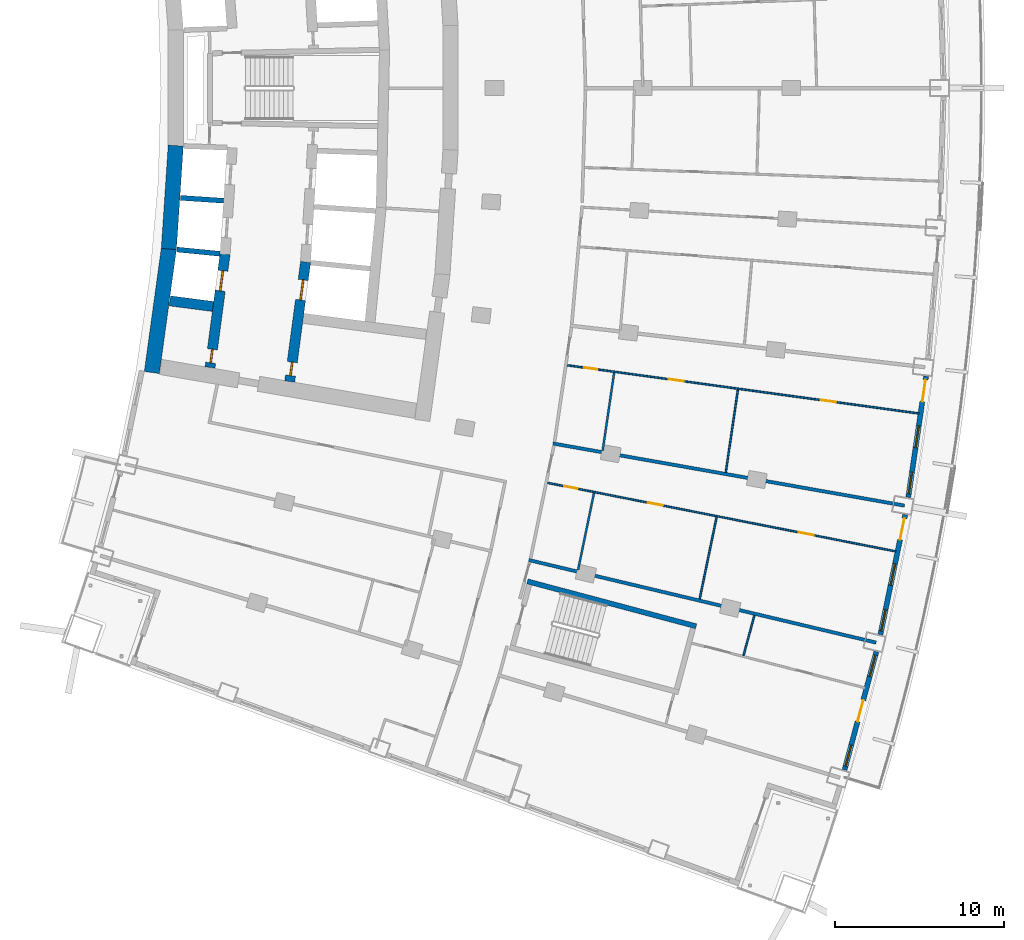
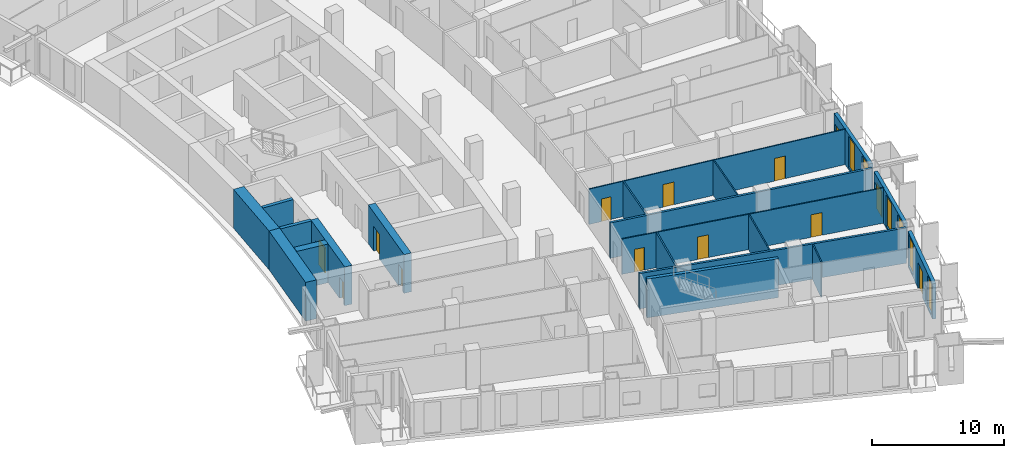
# One storey, part 13 of 23: 20 walls, 13 doors, 6 windows, 19 openings.
"""IFC4 building model written with IfcOpenShell, lengths in metres."""

import ifcopenshell
import ifcopenshell.guid

model = None  # the IFC model being written
_history = None  # IfcOwnerHistory: only IFC2X3 demands one
_inside = {}  # id of a spatial element -> (the spatial element, [elements in it])
_under = {}  # id of a project, library or spatial element -> (it, [spatial elements below it])
_declared = {}  # id of a project -> (the project, [libraries it declares])
_typed = {}  # id of a type object -> (the type object, [elements of that type])
_made_of = {}  # id of a material, layer set ... -> (it, [elements and type objects made of it])


def new_model(schema):
    """Start an empty IFC model of exactly this schema.

    Asked for "IFC4X3", IfcOpenShell would pick the latest addendum, in which some entities
    have other attributes; the version numbers below select the first issue.
    IFC2X3 requires an IfcOwnerHistory on every rooted entity: one is made here for all.
    """
    global model, _history
    if schema == "IFC4X3":
        model = ifcopenshell.file(schema_version=(4, 3, 0, 0))
    else:
        model = ifcopenshell.file(schema=schema)
    _inside.clear()
    _under.clear()
    _declared.clear()
    _typed.clear()
    _made_of.clear()
    _history = None
    if model.schema == "IFC2X3":
        org = make("IfcOrganization", Name="unknown")
        user = make(
            "IfcPersonAndOrganization",
            ThePerson=make("IfcPerson", FamilyName="unknown"),
            TheOrganization=org,
        )
        app = make(
            "IfcApplication",
            ApplicationDeveloper=org,
            Version="unknown",
            ApplicationFullName="unknown",
            ApplicationIdentifier="unknown",
        )
        _history = make(
            "IfcOwnerHistory",
            OwningUser=user,
            OwningApplication=app,
            ChangeAction="ADDED",
            CreationDate=0,
        )
    return model


def make(cls, **values):
    """One entity of the class cls with the attributes given. An attribute that is None is left unset."""
    return model.create_entity(
        cls, **{name: value for name, value in values.items() if value is not None}
    )


def rooted(cls, **values):
    """An entity with a GlobalId (a new one), such as an element, a storey or a relation."""
    return make(cls, GlobalId=ifcopenshell.guid.new(), OwnerHistory=_history, **values)


def si_unit(unit_type, name, prefix=None):
    """IfcSIUnit, for example si_unit("LENGTHUNIT", "METRE", prefix="MILLI")."""
    return make("IfcSIUnit", UnitType=unit_type, Prefix=prefix, Name=name)


def assignment(units):
    """IfcUnitAssignment: the units of a project."""
    return None if units is None else make("IfcUnitAssignment", Units=units)


def point(xyz):
    """IfcCartesianPoint."""
    return None if xyz is None else make("IfcCartesianPoint", Coordinates=xyz)


def direction(xyz):
    """IfcDirection."""
    return None if xyz is None else make("IfcDirection", DirectionRatios=xyz)


def frame(location, z_axis=None, x_axis=None):
    """IfcAxis2Placement3D, a coordinate frame: its origin and axes. An axis left out is left unset."""
    return make(
        "IfcAxis2Placement3D",
        Location=point(location),
        Axis=direction(z_axis),
        RefDirection=direction(x_axis),
    )


def frame_2d(location, x_axis=None):
    """IfcAxis2Placement2D, a coordinate frame in the plane: its origin and x axis."""
    return make(
        "IfcAxis2Placement2D", Location=point(location), RefDirection=direction(x_axis)
    )


def origin():
    """The frame at (0, 0, 0) with its axes left unset."""
    return frame((0.0, 0.0, 0.0))


def place(relative_to, where):
    """IfcLocalPlacement: puts the frame where relative to a parent placement (None: the world)."""
    return make(
        "IfcLocalPlacement", PlacementRelTo=relative_to, RelativePlacement=where
    )


def context(
    kind, dimensions, precision=None, world=None, true_north=None, identifier=None
):
    """IfcGeometricRepresentationContext, for example the 3D "Model" context."""
    return make(
        "IfcGeometricRepresentationContext",
        ContextIdentifier=identifier,
        ContextType=kind,
        CoordinateSpaceDimension=dimensions,
        Precision=precision,
        WorldCoordinateSystem=world,
        TrueNorth=true_north,
    )


def subcontext(parent, identifier, kind, view, scale=None):
    """IfcGeometricRepresentationSubContext, for example "Body" below "Model"."""
    return make(
        "IfcGeometricRepresentationSubContext",
        ContextIdentifier=identifier,
        ContextType=kind,
        ParentContext=parent,
        TargetScale=scale,
        TargetView=view,
    )


def project(units=None, contexts=None):
    """IfcProject with its units and contexts."""
    return rooted(
        "IfcProject",
        Name="project",
        RepresentationContexts=contexts,
        UnitsInContext=assignment(units),
    )


def spatial(cls, under=None, at=None, **own):
    """A site, building, storey or space (cls), placed at a placement, below another one or the project."""
    s = rooted(cls, ObjectPlacement=at, **own)
    if under is not None:
        _under.setdefault(under.id(), (under, []))[1].append(s)
    return s


def profile(cls, at=None, kind="AREA", **sizes):
    """A parametric profile (cls). Its sizes go by their IFC names, for example OverallWidth=200.0."""
    return make(cls, ProfileType=kind, Position=at, **sizes)


def rectangle(**sizes):
    """IfcRectangleProfileDef."""
    return profile("IfcRectangleProfileDef", **sizes)


def extrude(swept, where, along, depth):
    """IfcExtrudedAreaSolid: the profile swept, set in the frame where, extruded along a direction by depth."""
    return make(
        "IfcExtrudedAreaSolid",
        SweptArea=swept,
        Position=where,
        ExtrudedDirection=direction(along),
        Depth=depth,
    )


def shape(context_of_items, identifier, shape_type, items):
    """IfcShapeRepresentation: the items that make up one representation, for example the "Body"."""
    return make(
        "IfcShapeRepresentation",
        ContextOfItems=context_of_items,
        RepresentationIdentifier=identifier,
        RepresentationType=shape_type,
        Items=items,
    )


def material(Name=None, Category=None):
    """IfcMaterial."""
    return make("IfcMaterial", Name=Name, Category=Category)


def layer(
    of_material, thickness, ventilated=None, Name=None, Category=None, Priority=None
):
    """IfcMaterialLayer: one layer of a wall or slab, of a material (None: an air gap)."""
    return make(
        "IfcMaterialLayer",
        Material=of_material,
        LayerThickness=thickness,
        IsVentilated=ventilated,
        Name=Name,
        Category=Category,
        Priority=Priority,
    )


def layer_set(layers, Name=None):
    """IfcMaterialLayerSet."""
    return make("IfcMaterialLayerSet", MaterialLayers=layers, LayerSetName=Name)


def made_of(thing, what):
    """Note that an element or type object is made of a material, layer set ...; save() writes the relation."""
    if what is not None:
        _made_of.setdefault(what.id(), (what, []))[1].append(thing)
    return thing


def type_object(cls, material=None, **own):
    """A type object (cls), such as IfcWallType, which elements share."""
    return made_of(rooted(cls, **own), material)


def element(
    cls,
    number,
    at=None,
    inside=None,
    cuts=None,
    type_object=None,
    material=None,
    context=None,
    identifier="Body",
    shape_type=None,
    held_by="IfcProductDefinitionShape",
    body=None,
    shapes=None,
    **own,
):
    """One element of the class cls, such as IfcWall. Its Tag is "e" and its number.

    at: its placement. inside: the storey or other place that contains it. cuts: it is an
    opening in that element (IfcRelVoidsElement). A single representation is given by context,
    identifier, shape_type and body (its items); several are given by shapes. held_by: the class
    of the entity that holds the representations. save() writes the other relations.
    """
    e = rooted(cls, Tag="e%d" % number, ObjectPlacement=at, **own)
    if body is not None:
        shapes = [shape(context, identifier, shape_type, body)]
    if shapes is not None:
        e.Representation = make(held_by, Representations=shapes)
    if inside is not None:
        _inside.setdefault(inside.id(), (inside, []))[1].append(e)
    if cuts is not None:
        rooted(
            "IfcRelVoidsElement", RelatingBuildingElement=cuts, RelatedOpeningElement=e
        )
    if type_object is not None:
        _typed.setdefault(type_object.id(), (type_object, []))[1].append(e)
    return made_of(e, material)


def fill(opening, filler):
    """IfcRelFillsElement: the door or window that sits in an opening."""
    return rooted(
        "IfcRelFillsElement",
        RelatingOpeningElement=opening,
        RelatedBuildingElement=filler,
    )


def aggregate(whole, parts):
    """IfcRelAggregates: a whole, such as a stair, and the parts it consists of."""
    return rooted("IfcRelAggregates", RelatingObject=whole, RelatedObjects=parts)


def save(model, path):
    """Write the relations noted so far, then the file.

    IfcRelAggregates (storeys below a building ...), IfcRelContainedInSpatialStructure (elements
    in a storey), IfcRelDefinesByType, IfcRelAssociatesMaterial and IfcRelDeclares: one each for
    every whole, place, type object, material and project.
    """
    for whole, parts in _under.values():
        aggregate(whole, parts)
    for where, things in _inside.values():
        rooted(
            "IfcRelContainedInSpatialStructure",
            RelatedElements=things,
            RelatingStructure=where,
        )
    for kind, things in _typed.values():
        rooted("IfcRelDefinesByType", RelatedObjects=things, RelatingType=kind)
    for what, things in _made_of.values():
        rooted("IfcRelAssociatesMaterial", RelatedObjects=things, RelatingMaterial=what)
    for by, libraries in _declared.values():
        rooted("IfcRelDeclares", RelatingContext=by, RelatedDefinitions=libraries)
    model.write(path)


model = new_model("IFC4")

# Units and contexts
model_context = context("Model", 3, precision=1e-05, world=origin(), true_north=direction((0.0, 1.0)))
body_context = subcontext(model_context, "Body", "Model", "MODEL_VIEW")
ifc_project = project(units=[si_unit("LENGTHUNIT", "METRE"), si_unit("AREAUNIT", "SQUARE_METRE"), si_unit("VOLUMEUNIT", "CUBIC_METRE"), si_unit("PLANEANGLEUNIT", "RADIAN"), si_unit("MASSUNIT", "GRAM", prefix="KILO")], contexts=[model_context])

# Site, building, storey
site_placement = place(None, origin())
site = spatial("IfcSite", under=ifc_project, at=site_placement, CompositionType="ELEMENT")
building_placement = place(site_placement, origin())
building = spatial("IfcBuilding", under=site, at=building_placement, Name="Alderwake Tower", CompositionType="ELEMENT")
storey_placement = place(building_placement, frame((0.0, 0.0, 71.60009765625)))
storey = spatial("IfcBuildingStorey", under=building, at=storey_placement, Name="L17", CompositionType="ELEMENT", Elevation=71.60009765625)

# Walls
ifc_material_1 = material(Name="Concrete C70/85", Category="concrete")
ifc_layer_1 = layer(ifc_material_1, 0.89990234375)
ifc_layer_set_1 = layer_set([ifc_layer_1], Name="Core wall outer 900 C70-85")
wall_type_1 = type_object("IfcWallType", Name="Core wall outer 900 C70-85", PredefinedType="SHEAR", material=ifc_layer_set_1)
wall_1_placement = place(storey_placement, frame((15.46923828125, 44.1201171875, 0.0), z_axis=(0.0, 0.0, 1.0), x_axis=(0.136337234661, 0.990662484626, 0.0)))
element("IfcWall", 1, at=wall_1_placement, inside=storey, type_object=wall_type_1, Name="Core wall CW.042", PredefinedType="SHEAR", context=body_context, shape_type="SweptSolid", body=[
    extrude(rectangle(XDim=7.431396484375, YDim=0.89990234375, at=frame_2d((3.7158203125, 0.0))), origin(), (0.0, 0.0, 1.0), 3.599853515625),
])
wall_2_placement = place(storey_placement, frame((16.47900390625, 51.449951171875, 0.0), z_axis=(0.0, 0.0, 1.0), x_axis=(0.06689316208, 0.997760143956, 0.0)))
element("IfcWall", 2, at=wall_2_placement, inside=storey, type_object=wall_type_1, Name="Core wall CW.041", PredefinedType="SHEAR", context=body_context, shape_type="SweptSolid", body=[
    extrude(rectangle(XDim=6.149658203125, YDim=0.89990234375, at=frame_2d((3.07470703125, 0.0))), origin(), (0.0, 0.0, 1.0), 3.599853515625),
])
ifc_material_2 = material(Name="Concrete C70/85", Category="concrete")
ifc_layer_2 = layer(ifc_material_2, 0.300048828125)
ifc_layer_set_2 = layer_set([ifc_layer_2], Name="Core wall shaft 300 C70-85")
wall_type_2 = type_object("IfcWallType", Name="Core wall shaft 300 C70-85", PredefinedType="SHEAR", material=ifc_layer_set_2)
wall_3_placement = place(storey_placement, frame((16.9580078125, 51.4189453125, 0.0), z_axis=(0.0, 0.0, 1.0), x_axis=(0.995153154577, -0.098337169657, 0.0)))
element("IfcWall", 3, at=wall_3_placement, inside=storey, type_object=wall_type_2, Name="Core wall CW.065", PredefinedType="SHEAR", context=body_context, shape_type="SweptSolid", body=[
    extrude(rectangle(XDim=2.569580078125, YDim=0.300048828125, at=frame_2d((1.28466796875, 0.0))), origin(), (0.0, 0.0, 1.0), 3.599853515625),
])
wall_4_placement = place(storey_placement, frame((17.16357421875, 54.486083984375, 0.0), z_axis=(0.0, 0.0, 1.0), x_axis=(0.997758581961, -0.066916456292, 0.0)))
element("IfcWall", 4, at=wall_4_placement, inside=storey, type_object=wall_type_2, Name="Core wall CW.079", PredefinedType="SHEAR", context=body_context, shape_type="SweptSolid", body=[
    extrude(rectangle(XDim=2.568603515625, YDim=0.300048828125, at=frame_2d((1.2841796875, 0.0))), origin(), (0.0, 0.0, 1.0), 3.599853515625),
])

# Wall, openings, doors
ifc_material_3 = material(Name="Concrete C70/85", Category="concrete")
ifc_layer_3 = layer(ifc_material_3, 0.60009765625)
ifc_layer_set_3 = layer_set([ifc_layer_3], Name="Core wall spine 600 C70-85")
wall_type_3 = type_object("IfcWallType", Name="Core wall spine 600 C70-85", PredefinedType="SHEAR", material=ifc_layer_set_3)
wall_5_placement = place(storey_placement, frame((19.815185546875, 51.14697265625, 0.0), z_axis=(0.0, 0.0, 1.0), x_axis=(-0.131854836214, -0.991269036219, 0.0)))
wall_5 = element("IfcWall", 5, at=wall_5_placement, inside=storey, type_object=wall_type_3, Name="Core wall CW.033", PredefinedType="SHEAR", context=body_context, shape_type="SweptSolid", body=[
    extrude(rectangle(XDim=6.782470703125, YDim=0.60009765625, at=frame_2d((3.39111328125, 0.0))), origin(), (0.0, 0.0, 1.0), 3.599853515625),
])
opening_1_placement = place(wall_5_placement, frame((0.9921875, 0.0, 0.0)))
opening_1 = element("IfcOpeningElement", 6, at=opening_1_placement, cuts=wall_5, Name="Opening LD-LP1", PredefinedType="OPENING", context=body_context, shape_type="SweptSolid", body=[
    extrude(rectangle(XDim=1.199951171875, YDim=2.300048828125, at=frame_2d((0.60009765625, 1.14990234375))), frame((0.0, 0.31005859375, 0.0), z_axis=(0.0, -1.0, 0.0), x_axis=(1.0, 0.0, 0.0)), (0.0, 0.0, 1.0), 0.6201171875),
])
opening_2_placement = place(wall_5_placement, frame((5.699951171875, 0.0, 0.0)))
opening_2 = element("IfcOpeningElement", 7, at=opening_2_placement, cuts=wall_5, Name="Opening C007", PredefinedType="OPENING", context=body_context, shape_type="SweptSolid", body=[
    extrude(rectangle(XDim=0.800048828125, YDim=2.0, at=frame_2d((0.39990234375, 1.0))), frame((0.0, 0.31005859375, 0.0), z_axis=(0.0, -1.0, 0.0), x_axis=(1.0, 0.0, 0.0)), (0.0, 0.0, 1.0), 0.6201171875),
])
ifc_material_4 = material(Name="Stainless steel sliding leaf", Category="steel")
door_type_1 = type_object("IfcDoorType", Name="Lift landing door 1200", OperationType="SLIDING_TO_LEFT", PredefinedType="DOOR", material=ifc_material_4)
door_1_placement = place(opening_1_placement, origin())
door_1 = element("IfcDoor", 8, at=door_1_placement, inside=storey, type_object=door_type_1, Name="Lift landing door LP1", OperationType="SLIDING_TO_LEFT", OverallHeight=2.300048828125, OverallWidth=1.199951171875, PredefinedType="DOOR", context=body_context, shape_type="SweptSolid", body=[
    extrude(rectangle(XDim=1.199951171875, YDim=2.300048828125, at=frame_2d((0.60009765625, 1.14990234375))), frame((0.0, 0.050048828125, 0.0), z_axis=(0.0, -1.0, 0.0), x_axis=(1.0, 0.0, 0.0)), (0.0, 0.0, 1.0), 0.10009765625),
])
fill(opening_1, door_1)
ifc_material_5 = material(Name="Painted steel leaf, rated", Category="steel")
door_type_2 = type_object("IfcDoorType", Name="Riser access door 800", OperationType="SINGLE_SWING_LEFT", PredefinedType="DOOR", material=ifc_material_5)
door_2_placement = place(opening_2_placement, origin())
door_2 = element("IfcDoor", 9, at=door_2_placement, inside=storey, type_object=door_type_2, Name="Riser access door", OperationType="SINGLE_SWING_LEFT", OverallHeight=2.0, OverallWidth=0.800048828125, PredefinedType="DOOR", context=body_context, shape_type="SweptSolid", body=[
    extrude(rectangle(XDim=0.800048828125, YDim=2.0, at=frame_2d((0.39990234375, 1.0))), frame((0.0, 0.050048828125, 0.0), z_axis=(0.0, -1.0, 0.0), x_axis=(1.0, 0.0, 0.0)), (0.0, 0.0, 1.0), 0.10009765625),
])
fill(opening_2, door_2)

wall_6_placement = place(storey_placement, frame((23.647705078125, 43.588134765625, 0.0), z_axis=(0.0, 0.0, 1.0), x_axis=(0.132069785658, 0.991240420744, 0.0)))
wall_6 = element("IfcWall", 10, at=wall_6_placement, inside=storey, type_object=wall_type_3, Name="Core wall CW.047", PredefinedType="SHEAR", context=body_context, shape_type="SweptSolid", body=[
    extrude(rectangle(XDim=7.150390625, YDim=0.60009765625, at=frame_2d((3.5751953125, 0.0))), origin(), (0.0, 0.0, 1.0), 3.599853515625),
])
opening_3_placement = place(wall_6_placement, frame((4.88134765625, 0.0, 0.0)))
opening_3 = element("IfcOpeningElement", 11, at=opening_3_placement, cuts=wall_6, Name="Opening LD-LP4", PredefinedType="OPENING", context=body_context, shape_type="SweptSolid", body=[
    extrude(rectangle(XDim=1.199951171875, YDim=2.300048828125, at=frame_2d((0.60009765625, 1.14990234375))), frame((0.0, 0.31005859375, 0.0), z_axis=(0.0, -1.0, 0.0), x_axis=(1.0, 0.0, 0.0)), (0.0, 0.0, 1.0), 0.6201171875),
])
opening_4_placement = place(wall_6_placement, frame((0.35791015625, 0.0, 0.0)))
opening_4 = element("IfcOpeningElement", 12, at=opening_4_placement, cuts=wall_6, Name="Opening C014", PredefinedType="OPENING", context=body_context, shape_type="SweptSolid", body=[
    extrude(rectangle(XDim=0.800048828125, YDim=2.0, at=frame_2d((0.39990234375, 1.0))), frame((0.0, 0.31005859375, 0.0), z_axis=(0.0, -1.0, 0.0), x_axis=(1.0, 0.0, 0.0)), (0.0, 0.0, 1.0), 0.6201171875),
])
door_3_placement = place(opening_3_placement, origin())
door_3 = element("IfcDoor", 13, at=door_3_placement, inside=storey, type_object=door_type_1, Name="Lift landing door LP4", OperationType="SLIDING_TO_LEFT", OverallHeight=2.300048828125, OverallWidth=1.199951171875, PredefinedType="DOOR", context=body_context, shape_type="SweptSolid", body=[
    extrude(rectangle(XDim=1.199951171875, YDim=2.300048828125, at=frame_2d((0.60009765625, 1.14990234375))), frame((0.0, 0.050048828125, 0.0), z_axis=(0.0, -1.0, 0.0), x_axis=(1.0, 0.0, 0.0)), (0.0, 0.0, 1.0), 0.10009765625),
])
fill(opening_3, door_3)
door_4_placement = place(opening_4_placement, origin())
door_4 = element("IfcDoor", 14, at=door_4_placement, inside=storey, type_object=door_type_2, Name="Riser access door", OperationType="SINGLE_SWING_RIGHT", OverallHeight=2.0, OverallWidth=0.800048828125, PredefinedType="DOOR", context=body_context, shape_type="SweptSolid", body=[
    extrude(rectangle(XDim=0.800048828125, YDim=2.0, at=frame_2d((0.39990234375, 1.0))), frame((0.0, 0.050048828125, 0.0), z_axis=(0.0, -1.0, 0.0), x_axis=(1.0, 0.0, 0.0)), (0.0, 0.0, 1.0), 0.10009765625),
])
fill(opening_4, door_4)

# Walls
wall_7_placement = place(storey_placement, frame((16.5390625, 48.373291015625, 0.0), z_axis=(0.0, 0.0, 1.0), x_axis=(0.99156081818, -0.129642369037, 0.0)))
element("IfcWall", 15, at=wall_7_placement, inside=storey, type_object=wall_type_3, Name="Core wall CW.067", PredefinedType="SHEAR", context=body_context, shape_type="SweptSolid", body=[
    extrude(rectangle(XDim=2.581787109375, YDim=0.60009765625, at=frame_2d((1.291015625, 0.0))), origin(), (0.0, 0.0, 1.0), 3.599853515625),
])
ifc_material_6 = material(Name="Concrete C70/85", Category="concrete")
ifc_layer_4 = layer(ifc_material_6, 0.300048828125)
ifc_layer_set_4 = layer_set([ifc_layer_4], Name="Core wall stair enclosure 300 C70-85")
wall_type_4 = type_object("IfcWallType", Name="Core wall stair enclosure 300 C70-85", PredefinedType="SHEAR", material=ifc_layer_set_4)
wall_8_placement = place(storey_placement, frame((37.75390625, 31.731201171875, 0.0), z_axis=(0.0, 0.0, 1.0), x_axis=(0.966309214305, -0.257383958996, 0.0)))
element("IfcWall", 16, at=wall_8_placement, inside=storey, type_object=wall_type_4, Name="Core wall CW.086", PredefinedType="SHEAR", context=body_context, shape_type="SweptSolid", body=[
    extrude(rectangle(XDim=10.360107421875, YDim=0.300048828125, at=frame_2d((5.18017578125, 0.0))), origin(), (0.0, 0.0, 1.0), 3.599853515625),
])

# Wall, openings, door, windows
ifc_material_7 = material(Name="Precast concrete C50/60 spandrel panel", Category="concrete")
ifc_layer_5 = layer(ifc_material_7, 0.300048828125)
ifc_layer_set_5 = layer_set([ifc_layer_5], Name="External wall EW1 Precast concrete C50/60 spandrel")
wall_type_5 = type_object("IfcWallType", Name="External wall EW1 Precast concrete C50/60 spandrel", PredefinedType="SOLIDWALL", material=ifc_layer_set_5)
wall_9_placement = place(storey_placement, frame((56.56982421875, 20.545166015625, 0.0), z_axis=(0.0, 0.0, 1.0), x_axis=(0.259495836826, 0.96574422632, 0.0)))
wall_9 = element("IfcWall", 17, at=wall_9_placement, inside=storey, type_object=wall_type_5, Name="External wall 12", PredefinedType="SOLIDWALL", context=body_context, shape_type="SweptSolid", body=[
    extrude(rectangle(XDim=7.259521484375, YDim=0.300048828125, at=frame_2d((3.6298828125, 0.0))), origin(), (0.0, 0.0, 1.0), 3.27978515625),
])
opening_5_placement = place(wall_9_placement, frame((0.215087890625, 0.0, 0.199951171875)))
opening_5 = element("IfcOpeningElement", 18, at=opening_5_placement, cuts=wall_9, Name="Opening W1", PredefinedType="OPENING", context=body_context, shape_type="SweptSolid", body=[
    extrude(rectangle(XDim=1.300048828125, YDim=2.89990234375, at=frame_2d((0.64990234375, 1.449951171875))), frame((0.0, 0.159912109375, 0.0), z_axis=(0.0, -1.0, 0.0), x_axis=(1.0, 0.0, 0.0)), (0.0, 0.0, 1.0), 0.320068359375),
])
opening_6_placement = place(wall_9_placement, frame((2.979736328125, 0.0, 0.0)))
opening_6 = element("IfcOpeningElement", 19, at=opening_6_placement, cuts=wall_9, Name="Opening D03", PredefinedType="OPENING", context=body_context, shape_type="SweptSolid", body=[
    extrude(rectangle(XDim=1.300048828125, YDim=2.39990234375, at=frame_2d((0.64990234375, 1.199951171875))), frame((0.0, 0.159912109375, 0.0), z_axis=(0.0, -1.0, 0.0), x_axis=(1.0, 0.0, 0.0)), (0.0, 0.0, 1.0), 0.320068359375),
])
opening_7_placement = place(wall_9_placement, frame((5.744384765625, 0.0, 0.199951171875)))
opening_7 = element("IfcOpeningElement", 20, at=opening_7_placement, cuts=wall_9, Name="Opening W1", PredefinedType="OPENING", context=body_context, shape_type="SweptSolid", body=[
    extrude(rectangle(XDim=1.300048828125, YDim=2.89990234375, at=frame_2d((0.64990234375, 1.449951171875))), frame((0.0, 0.159912109375, 0.0), z_axis=(0.0, -1.0, 0.0), x_axis=(1.0, 0.0, 0.0)), (0.0, 0.0, 1.0), 0.320068359375),
])
ifc_material_8 = material(Name="Bronze tinted glass in aluminium frame", Category="aluminium")
door_type_3 = type_object("IfcDoorType", Name="Balcony door BD sliding", OperationType="SLIDING_TO_LEFT", PredefinedType="DOOR", material=ifc_material_8)
door_5_placement = place(opening_6_placement, origin())
door_5 = element("IfcDoor", 21, at=door_5_placement, inside=storey, type_object=door_type_3, Name="Door D03", OperationType="SLIDING_TO_LEFT", OverallHeight=2.39990234375, OverallWidth=1.300048828125, PredefinedType="DOOR", context=body_context, shape_type="SweptSolid", body=[
    extrude(rectangle(XDim=1.300048828125, YDim=2.39990234375, at=frame_2d((0.64990234375, 1.199951171875))), frame((0.0, 0.02490234375, 0.0), z_axis=(0.0, -1.0, 0.0), x_axis=(1.0, 0.0, 0.0)), (0.0, 0.0, 1.0), 0.050048828125),
])
fill(opening_6, door_5)
ifc_material_9 = material(Name="Bronze tinted glass in aluminium frame", Category="aluminium")
window_type = type_object("IfcWindowType", Name="Window W1 tall fixed and vent", PartitioningType="DOUBLE_PANEL_VERTICAL", PredefinedType="WINDOW", material=ifc_material_9)
window_1_placement = place(opening_5_placement, origin())
window_1 = element("IfcWindow", 22, at=window_1_placement, inside=storey, type_object=window_type, Name="Window W1 tall fixed and vent", OverallHeight=2.89990234375, OverallWidth=1.300048828125, PartitioningType="DOUBLE_PANEL_VERTICAL", PredefinedType="WINDOW", context=body_context, shape_type="SweptSolid", body=[
    extrude(rectangle(XDim=1.300048828125, YDim=2.89990234375, at=frame_2d((0.64990234375, 1.449951171875))), frame((0.0, 0.030029296875, 0.0), z_axis=(0.0, -1.0, 0.0), x_axis=(1.0, 0.0, 0.0)), (0.0, 0.0, 1.0), 0.06005859375),
])
fill(opening_5, window_1)
window_2_placement = place(opening_7_placement, origin())
window_2 = element("IfcWindow", 23, at=window_2_placement, inside=storey, type_object=window_type, Name="Window W1 tall fixed and vent", OverallHeight=2.89990234375, OverallWidth=1.300048828125, PartitioningType="DOUBLE_PANEL_VERTICAL", PredefinedType="WINDOW", context=body_context, shape_type="SweptSolid", body=[
    extrude(rectangle(XDim=1.300048828125, YDim=2.89990234375, at=frame_2d((0.64990234375, 1.449951171875))), frame((0.0, 0.030029296875, 0.0), z_axis=(0.0, -1.0, 0.0), x_axis=(1.0, 0.0, 0.0)), (0.0, 0.0, 1.0), 0.06005859375),
])
fill(opening_7, window_2)

wall_10_placement = place(storey_placement, frame((58.696044921875, 28.576171875, 0.0), z_axis=(0.0, 0.0, 1.0), x_axis=(0.20276685811, 0.97922704275, 0.0)))
wall_10 = element("IfcWall", 24, at=wall_10_placement, inside=storey, type_object=wall_type_5, Name="External wall 13", PredefinedType="SOLIDWALL", context=body_context, shape_type="SweptSolid", body=[
    extrude(rectangle(XDim=7.25927734375, YDim=0.300048828125, at=frame_2d((3.629638671875, 0.0))), origin(), (0.0, 0.0, 1.0), 3.27978515625),
])
opening_8_placement = place(wall_10_placement, frame((0.215087890625, 0.0, 0.199951171875)))
opening_8 = element("IfcOpeningElement", 25, at=opening_8_placement, cuts=wall_10, Name="Opening W1", PredefinedType="OPENING", context=body_context, shape_type="SweptSolid", body=[
    extrude(rectangle(XDim=1.300048828125, YDim=2.89990234375, at=frame_2d((0.64990234375, 1.449951171875))), frame((0.0, 0.159912109375, 0.0), z_axis=(0.0, -1.0, 0.0), x_axis=(1.0, 0.0, 0.0)), (0.0, 0.0, 1.0), 0.320068359375),
])
opening_9_placement = place(wall_10_placement, frame((2.9794921875, 0.0, 0.199951171875)))
opening_9 = element("IfcOpeningElement", 26, at=opening_9_placement, cuts=wall_10, Name="Opening W1", PredefinedType="OPENING", context=body_context, shape_type="SweptSolid", body=[
    extrude(rectangle(XDim=1.300048828125, YDim=2.89990234375, at=frame_2d((0.64990234375, 1.449951171875))), frame((0.0, 0.159912109375, 0.0), z_axis=(0.0, -1.0, 0.0), x_axis=(1.0, 0.0, 0.0)), (0.0, 0.0, 1.0), 0.320068359375),
])
opening_10_placement = place(wall_10_placement, frame((5.744140625, 0.0, 0.0)))
opening_10 = element("IfcOpeningElement", 27, at=opening_10_placement, cuts=wall_10, Name="Opening D04", PredefinedType="OPENING", context=body_context, shape_type="SweptSolid", body=[
    extrude(rectangle(XDim=1.300048828125, YDim=2.39990234375, at=frame_2d((0.64990234375, 1.199951171875))), frame((0.0, 0.159912109375, 0.0), z_axis=(0.0, -1.0, 0.0), x_axis=(1.0, 0.0, 0.0)), (0.0, 0.0, 1.0), 0.320068359375),
])
door_6_placement = place(opening_10_placement, origin())
door_6 = element("IfcDoor", 28, at=door_6_placement, inside=storey, type_object=door_type_3, Name="Door D04", OperationType="SLIDING_TO_LEFT", OverallHeight=2.39990234375, OverallWidth=1.300048828125, PredefinedType="DOOR", context=body_context, shape_type="SweptSolid", body=[
    extrude(rectangle(XDim=1.300048828125, YDim=2.39990234375, at=frame_2d((0.64990234375, 1.199951171875))), frame((0.0, 0.02490234375, 0.0), z_axis=(0.0, -1.0, 0.0), x_axis=(1.0, 0.0, 0.0)), (0.0, 0.0, 1.0), 0.050048828125),
])
fill(opening_10, door_6)
window_3_placement = place(opening_8_placement, origin())
window_3 = element("IfcWindow", 29, at=window_3_placement, inside=storey, type_object=window_type, Name="Window W1 tall fixed and vent", OverallHeight=2.89990234375, OverallWidth=1.300048828125, PartitioningType="DOUBLE_PANEL_VERTICAL", PredefinedType="WINDOW", context=body_context, shape_type="SweptSolid", body=[
    extrude(rectangle(XDim=1.300048828125, YDim=2.89990234375, at=frame_2d((0.64990234375, 1.449951171875))), frame((0.0, 0.030029296875, 0.0), z_axis=(0.0, -1.0, 0.0), x_axis=(1.0, 0.0, 0.0)), (0.0, 0.0, 1.0), 0.06005859375),
])
fill(opening_8, window_3)
window_4_placement = place(opening_9_placement, origin())
window_4 = element("IfcWindow", 30, at=window_4_placement, inside=storey, type_object=window_type, Name="Window W1 tall fixed and vent", OverallHeight=2.89990234375, OverallWidth=1.300048828125, PartitioningType="DOUBLE_PANEL_VERTICAL", PredefinedType="WINDOW", context=body_context, shape_type="SweptSolid", body=[
    extrude(rectangle(XDim=1.300048828125, YDim=2.89990234375, at=frame_2d((0.64990234375, 1.449951171875))), frame((0.0, 0.030029296875, 0.0), z_axis=(0.0, -1.0, 0.0), x_axis=(1.0, 0.0, 0.0)), (0.0, 0.0, 1.0), 0.06005859375),
])
fill(opening_9, window_4)

wall_11_placement = place(storey_placement, frame((60.3505859375, 36.71728515625, 0.0), z_axis=(0.0, 0.0, 1.0), x_axis=(0.145323578953, 0.989384180892, 0.0)))
wall_11 = element("IfcWall", 31, at=wall_11_placement, inside=storey, type_object=wall_type_5, Name="External wall 14", PredefinedType="SOLIDWALL", context=body_context, shape_type="SweptSolid", body=[
    extrude(rectangle(XDim=7.25927734375, YDim=0.300048828125, at=frame_2d((3.629638671875, 0.0))), origin(), (0.0, 0.0, 1.0), 3.27978515625),
])
opening_11_placement = place(wall_11_placement, frame((0.215087890625, 0.0, 0.199951171875)))
opening_11 = element("IfcOpeningElement", 32, at=opening_11_placement, cuts=wall_11, Name="Opening W1", PredefinedType="OPENING", context=body_context, shape_type="SweptSolid", body=[
    extrude(rectangle(XDim=1.300048828125, YDim=2.89990234375, at=frame_2d((0.64990234375, 1.449951171875))), frame((0.0, 0.159912109375, 0.0), z_axis=(0.0, -1.0, 0.0), x_axis=(1.0, 0.0, 0.0)), (0.0, 0.0, 1.0), 0.320068359375),
])
opening_12_placement = place(wall_11_placement, frame((2.9794921875, 0.0, 0.199951171875)))
opening_12 = element("IfcOpeningElement", 33, at=opening_12_placement, cuts=wall_11, Name="Opening W1", PredefinedType="OPENING", context=body_context, shape_type="SweptSolid", body=[
    extrude(rectangle(XDim=1.300048828125, YDim=2.89990234375, at=frame_2d((0.64990234375, 1.449951171875))), frame((0.0, 0.159912109375, 0.0), z_axis=(0.0, -1.0, 0.0), x_axis=(1.0, 0.0, 0.0)), (0.0, 0.0, 1.0), 0.320068359375),
])
opening_13_placement = place(wall_11_placement, frame((5.744140625, 0.0, 0.0)))
opening_13 = element("IfcOpeningElement", 34, at=opening_13_placement, cuts=wall_11, Name="Opening D05", PredefinedType="OPENING", context=body_context, shape_type="SweptSolid", body=[
    extrude(rectangle(XDim=1.300048828125, YDim=2.39990234375, at=frame_2d((0.64990234375, 1.199951171875))), frame((0.0, 0.159912109375, 0.0), z_axis=(0.0, -1.0, 0.0), x_axis=(1.0, 0.0, 0.0)), (0.0, 0.0, 1.0), 0.320068359375),
])
door_7_placement = place(opening_13_placement, origin())
door_7 = element("IfcDoor", 35, at=door_7_placement, inside=storey, type_object=door_type_3, Name="Door D05", OperationType="SLIDING_TO_LEFT", OverallHeight=2.39990234375, OverallWidth=1.300048828125, PredefinedType="DOOR", context=body_context, shape_type="SweptSolid", body=[
    extrude(rectangle(XDim=1.300048828125, YDim=2.39990234375, at=frame_2d((0.64990234375, 1.199951171875))), frame((0.0, 0.02490234375, 0.0), z_axis=(0.0, -1.0, 0.0), x_axis=(1.0, 0.0, 0.0)), (0.0, 0.0, 1.0), 0.050048828125),
])
fill(opening_13, door_7)
window_5_placement = place(opening_11_placement, origin())
window_5 = element("IfcWindow", 36, at=window_5_placement, inside=storey, type_object=window_type, Name="Window W1 tall fixed and vent", OverallHeight=2.89990234375, OverallWidth=1.300048828125, PartitioningType="DOUBLE_PANEL_VERTICAL", PredefinedType="WINDOW", context=body_context, shape_type="SweptSolid", body=[
    extrude(rectangle(XDim=1.300048828125, YDim=2.89990234375, at=frame_2d((0.64990234375, 1.449951171875))), frame((0.0, 0.030029296875, 0.0), z_axis=(0.0, -1.0, 0.0), x_axis=(1.0, 0.0, 0.0)), (0.0, 0.0, 1.0), 0.06005859375),
])
fill(opening_11, window_5)
window_6_placement = place(opening_12_placement, origin())
window_6 = element("IfcWindow", 37, at=window_6_placement, inside=storey, type_object=window_type, Name="Window W1 tall fixed and vent", OverallHeight=2.89990234375, OverallWidth=1.300048828125, PartitioningType="DOUBLE_PANEL_VERTICAL", PredefinedType="WINDOW", context=body_context, shape_type="SweptSolid", body=[
    extrude(rectangle(XDim=1.300048828125, YDim=2.89990234375, at=frame_2d((0.64990234375, 1.449951171875))), frame((0.0, 0.030029296875, 0.0), z_axis=(0.0, -1.0, 0.0), x_axis=(1.0, 0.0, 0.0)), (0.0, 0.0, 1.0), 0.06005859375),
])
fill(opening_12, window_6)

# Walls
ifc_material_10 = material(Name="Dense block masonry wall", Category="masonry")
ifc_layer_6 = layer(ifc_material_10, 0.199951171875)
ifc_layer_set_6 = layer_set([ifc_layer_6], Name="Party wall 200")
wall_type_6 = type_object("IfcWallType", Name="Party wall 200", PredefinedType="SOLIDWALL", material=ifc_layer_set_6)
wall_12_placement = place(storey_placement, frame((37.839111328125, 32.994384765625, 0.0), z_axis=(0.0, 0.0, 1.0), x_axis=(0.972904338918, -0.23120801741, 0.0)))
element("IfcWall", 38, at=wall_12_placement, inside=storey, type_object=wall_type_6, Name="WL/L17/W06", PredefinedType="SOLIDWALL", context=body_context, shape_type="SweptSolid", body=[
    extrude(rectangle(XDim=21.177734375, YDim=0.199951171875, at=frame_2d((10.5888671875, 0.0))), origin(), (0.0, 0.0, 1.0), 3.27978515625),
])
wall_13_placement = place(storey_placement, frame((60.1259765625, 36.22509765625, 0.0), z_axis=(0.0, 0.0, 1.0), x_axis=(-0.984741522194, 0.174023373334, 0.0)))
element("IfcWall", 39, at=wall_13_placement, inside=storey, type_object=wall_type_6, Name="WL/L17/W10", PredefinedType="SOLIDWALL", context=body_context, shape_type="SweptSolid", body=[
    extrude(rectangle(XDim=21.179931640625, YDim=0.199951171875, at=frame_2d((10.58984375, 0.0))), origin(), (0.0, 0.0, 1.0), 3.27978515625),
])

# Wall, openings, doors
ifc_material_11 = material(Name="Gypsum board on metal studs")
ifc_layer_7 = layer(ifc_material_11, 0.10009765625)
ifc_layer_set_7 = layer_set([ifc_layer_7], Name="Unit partition 100")
wall_type_7 = type_object("IfcWallType", Name="Unit partition 100", PredefinedType="PARTITIONING", material=ifc_layer_set_7)
wall_14_placement = place(storey_placement, frame((59.615966796875, 33.507080078125, 0.0), z_axis=(0.0, 0.0, 1.0), x_axis=(-0.981175702379, 0.193117169254, 0.0)))
wall_14 = element("IfcWall", 40, at=wall_14_placement, inside=storey, type_object=wall_type_7, Name="WL/L17/W70", PredefinedType="PARTITIONING", context=body_context, shape_type="SweptSolid", body=[
    extrude(rectangle(XDim=21.06298828125, YDim=0.10009765625, at=frame_2d((10.531494140625, 0.0))), origin(), (0.0, 0.0, 1.0), 3.27978515625),
])
opening_14_placement = place(wall_14_placement, frame((14.087158203125, 0.0, 0.0)))
opening_14 = element("IfcOpeningElement", 41, at=opening_14_placement, cuts=wall_14, Name="Opening R04-U05.1", PredefinedType="OPENING", context=body_context, shape_type="SweptSolid", body=[
    extrude(rectangle(XDim=0.89990234375, YDim=2.10009765625, at=frame_2d((0.449951171875, 1.050048828125))), frame((0.0, 0.06005859375, 0.0), z_axis=(0.0, -1.0, 0.0), x_axis=(1.0, 0.0, 0.0)), (0.0, 0.0, 1.0), 0.1201171875),
])
opening_15_placement = place(wall_14_placement, frame((19.25341796875, 0.0, 0.0)))
opening_15 = element("IfcOpeningElement", 42, at=opening_15_placement, cuts=wall_14, Name="Opening R04-U05.3", PredefinedType="OPENING", context=body_context, shape_type="SweptSolid", body=[
    extrude(rectangle(XDim=0.800048828125, YDim=2.10009765625, at=frame_2d((0.39990234375, 1.050048828125))), frame((0.0, 0.06005859375, 0.0), z_axis=(0.0, -1.0, 0.0), x_axis=(1.0, 0.0, 0.0)), (0.0, 0.0, 1.0), 0.1201171875),
])
opening_16_placement = place(wall_14_placement, frame((4.96533203125, 0.0, 0.0)))
opening_16 = element("IfcOpeningElement", 43, at=opening_16_placement, cuts=wall_14, Name="Opening R04-U05.4", PredefinedType="OPENING", context=body_context, shape_type="SweptSolid", body=[
    extrude(rectangle(XDim=0.89990234375, YDim=2.10009765625, at=frame_2d((0.449951171875, 1.050048828125))), frame((0.0, 0.06005859375, 0.0), z_axis=(0.0, -1.0, 0.0), x_axis=(1.0, 0.0, 0.0)), (0.0, 0.0, 1.0), 0.1201171875),
])
ifc_material_12 = material(Name="Painted timber leaf", Category="wood")
door_type_4 = type_object("IfcDoorType", Name="Bathroom door 800", OperationType="SINGLE_SWING_LEFT", PredefinedType="DOOR", material=ifc_material_12)
door_8_placement = place(opening_15_placement, origin())
door_8 = element("IfcDoor", 44, at=door_8_placement, inside=storey, type_object=door_type_4, Name="DR/L17/U05.3", OperationType="SINGLE_SWING_LEFT", OverallHeight=2.10009765625, OverallWidth=0.800048828125, PredefinedType="DOOR", context=body_context, shape_type="SweptSolid", body=[
    extrude(rectangle(XDim=0.800048828125, YDim=2.10009765625, at=frame_2d((0.39990234375, 1.050048828125))), frame((0.0, 0.02490234375, 0.0), z_axis=(0.0, -1.0, 0.0), x_axis=(1.0, 0.0, 0.0)), (0.0, 0.0, 1.0), 0.050048828125),
])
fill(opening_15, door_8)
ifc_material_13 = material(Name="Painted timber leaf", Category="wood")
door_type_5 = type_object("IfcDoorType", Name="Room door 900", OperationType="SINGLE_SWING_LEFT", PredefinedType="DOOR", material=ifc_material_13)
door_9_placement = place(opening_14_placement, origin())
door_9 = element("IfcDoor", 45, at=door_9_placement, inside=storey, type_object=door_type_5, Name="DR/L17/U05.1", OperationType="SINGLE_SWING_LEFT", OverallHeight=2.10009765625, OverallWidth=0.89990234375, PredefinedType="DOOR", context=body_context, shape_type="SweptSolid", body=[
    extrude(rectangle(XDim=0.89990234375, YDim=2.10009765625, at=frame_2d((0.449951171875, 1.050048828125))), frame((0.0, 0.02490234375, 0.0), z_axis=(0.0, -1.0, 0.0), x_axis=(1.0, 0.0, 0.0)), (0.0, 0.0, 1.0), 0.050048828125),
])
fill(opening_14, door_9)
door_10_placement = place(opening_16_placement, origin())
door_10 = element("IfcDoor", 46, at=door_10_placement, inside=storey, type_object=door_type_5, Name="DR/L17/U05.4", OperationType="SINGLE_SWING_LEFT", OverallHeight=2.10009765625, OverallWidth=0.89990234375, PredefinedType="DOOR", context=body_context, shape_type="SweptSolid", body=[
    extrude(rectangle(XDim=0.89990234375, YDim=2.10009765625, at=frame_2d((0.449951171875, 1.050048828125))), frame((0.0, 0.02490234375, 0.0), z_axis=(0.0, -1.0, 0.0), x_axis=(1.0, 0.0, 0.0)), (0.0, 0.0, 1.0), 0.050048828125),
])
fill(opening_16, door_10)

wall_15_placement = place(storey_placement, frame((60.98095703125, 41.69091796875, 0.0), z_axis=(0.0, 0.0, 1.0), x_axis=(-0.99073682352, 0.13579597388, 0.0)))
wall_15 = element("IfcWall", 47, at=wall_15_placement, inside=storey, type_object=wall_type_7, Name="WL/L17/W71", PredefinedType="PARTITIONING", context=body_context, shape_type="SweptSolid", body=[
    extrude(rectangle(XDim=21.061767578125, YDim=0.10009765625, at=frame_2d((10.53076171875, 0.0))), origin(), (0.0, 0.0, 1.0), 3.27978515625),
])
opening_17_placement = place(wall_15_placement, frame((14.087158203125, 0.0, 0.0)))
opening_17 = element("IfcOpeningElement", 48, at=opening_17_placement, cuts=wall_15, Name="Opening R04-U06.1", PredefinedType="OPENING", context=body_context, shape_type="SweptSolid", body=[
    extrude(rectangle(XDim=0.89990234375, YDim=2.10009765625, at=frame_2d((0.449951171875, 1.050048828125))), frame((0.0, 0.06005859375, 0.0), z_axis=(0.0, -1.0, 0.0), x_axis=(1.0, 0.0, 0.0)), (0.0, 0.0, 1.0), 0.1201171875),
])
opening_18_placement = place(wall_15_placement, frame((19.2529296875, 0.0, 0.0)))
opening_18 = element("IfcOpeningElement", 49, at=opening_18_placement, cuts=wall_15, Name="Opening R04-U06.3", PredefinedType="OPENING", context=body_context, shape_type="SweptSolid", body=[
    extrude(rectangle(XDim=0.800048828125, YDim=2.10009765625, at=frame_2d((0.39990234375, 1.050048828125))), frame((0.0, 0.06005859375, 0.0), z_axis=(0.0, -1.0, 0.0), x_axis=(1.0, 0.0, 0.0)), (0.0, 0.0, 1.0), 0.1201171875),
])
opening_19_placement = place(wall_15_placement, frame((4.96533203125, 0.0, 0.0)))
opening_19 = element("IfcOpeningElement", 50, at=opening_19_placement, cuts=wall_15, Name="Opening R04-U06.4", PredefinedType="OPENING", context=body_context, shape_type="SweptSolid", body=[
    extrude(rectangle(XDim=0.89990234375, YDim=2.10009765625, at=frame_2d((0.449951171875, 1.050048828125))), frame((0.0, 0.06005859375, 0.0), z_axis=(0.0, -1.0, 0.0), x_axis=(1.0, 0.0, 0.0)), (0.0, 0.0, 1.0), 0.1201171875),
])
door_11_placement = place(opening_18_placement, origin())
door_11 = element("IfcDoor", 51, at=door_11_placement, inside=storey, type_object=door_type_4, Name="DR/L17/U06.3", OperationType="SINGLE_SWING_LEFT", OverallHeight=2.10009765625, OverallWidth=0.800048828125, PredefinedType="DOOR", context=body_context, shape_type="SweptSolid", body=[
    extrude(rectangle(XDim=0.800048828125, YDim=2.10009765625, at=frame_2d((0.39990234375, 1.050048828125))), frame((0.0, 0.02490234375, 0.0), z_axis=(0.0, -1.0, 0.0), x_axis=(1.0, 0.0, 0.0)), (0.0, 0.0, 1.0), 0.050048828125),
])
fill(opening_18, door_11)
door_12_placement = place(opening_17_placement, origin())
door_12 = element("IfcDoor", 52, at=door_12_placement, inside=storey, type_object=door_type_5, Name="DR/L17/U06.1", OperationType="SINGLE_SWING_LEFT", OverallHeight=2.10009765625, OverallWidth=0.89990234375, PredefinedType="DOOR", context=body_context, shape_type="SweptSolid", body=[
    extrude(rectangle(XDim=0.89990234375, YDim=2.10009765625, at=frame_2d((0.449951171875, 1.050048828125))), frame((0.0, 0.02490234375, 0.0), z_axis=(0.0, -1.0, 0.0), x_axis=(1.0, 0.0, 0.0)), (0.0, 0.0, 1.0), 0.050048828125),
])
fill(opening_17, door_12)
door_13_placement = place(opening_19_placement, origin())
door_13 = element("IfcDoor", 53, at=door_13_placement, inside=storey, type_object=door_type_5, Name="DR/L17/U06.4", OperationType="SINGLE_SWING_LEFT", OverallHeight=2.10009765625, OverallWidth=0.89990234375, PredefinedType="DOOR", context=body_context, shape_type="SweptSolid", body=[
    extrude(rectangle(XDim=0.89990234375, YDim=2.10009765625, at=frame_2d((0.449951171875, 1.050048828125))), frame((0.0, 0.02490234375, 0.0), z_axis=(0.0, -1.0, 0.0), x_axis=(1.0, 0.0, 0.0)), (0.0, 0.0, 1.0), 0.050048828125),
])
fill(opening_19, door_13)

# Walls
wall_16_placement = place(storey_placement, frame((47.972412109375, 30.68896484375, 0.0), z_axis=(0.0, 0.0, 1.0), x_axis=(0.202950413488, 0.979189016312, 0.0)))
element("IfcWall", 54, at=wall_16_placement, inside=storey, type_object=wall_type_7, Name="WL/L17/W80", PredefinedType="PARTITIONING", context=body_context, shape_type="SweptSolid", body=[
    extrude(rectangle(XDim=4.96337890625, YDim=0.10009765625, at=frame_2d((2.481689453125, 0.0))), origin(), (0.0, 0.0, 1.0), 3.27978515625),
])
wall_17_placement = place(storey_placement, frame((49.5234375, 38.201904296875, 0.0), z_axis=(0.0, 0.0, 1.0), x_axis=(0.144995379555, 0.989432332152, 0.0)))
element("IfcWall", 55, at=wall_17_placement, inside=storey, type_object=wall_type_7, Name="WL/L17/W81", PredefinedType="PARTITIONING", context=body_context, shape_type="SweptSolid", body=[
    extrude(rectangle(XDim=4.962158203125, YDim=0.10009765625, at=frame_2d((2.48095703125, 0.0))), origin(), (0.0, 0.0, 1.0), 3.27978515625),
])
wall_18_placement = place(storey_placement, frame((50.574951171875, 27.32421875, 0.0), z_axis=(0.0, 0.0, 1.0), x_axis=(0.259739710308, 0.965678664406, 0.0)))
element("IfcWall", 56, at=wall_18_placement, inside=storey, type_object=wall_type_7, Name="WL/L17/W82", PredefinedType="PARTITIONING", context=body_context, shape_type="SweptSolid", body=[
    extrude(rectangle(XDim=2.47216796875, YDim=0.10009765625, at=frame_2d((1.236083984375, 0.0))), origin(), (0.0, 0.0, 1.0), 3.27978515625),
])
ifc_material_14 = material(Name="Moisture resistant gypsum board on metal studs")
ifc_layer_8 = layer(ifc_material_14, 0.1201171875)
ifc_layer_set_8 = layer_set([ifc_layer_8], Name="Wet room partition 120")
wall_type_8 = type_object("IfcWallType", Name="Wet room partition 120", PredefinedType="PARTITIONING", material=ifc_layer_set_8)
wall_19_placement = place(storey_placement, frame((40.75732421875, 32.402099609375, 0.0), z_axis=(0.0, 0.0, 1.0), x_axis=(0.202555554597, 0.97927077323, 0.0)))
element("IfcWall", 57, at=wall_19_placement, inside=storey, type_object=wall_type_8, Name="WL/L17/W54", PredefinedType="PARTITIONING", context=body_context, shape_type="SweptSolid", body=[
    extrude(rectangle(XDim=4.677734375, YDim=0.1201171875, at=frame_2d((2.3388671875, 0.0))), origin(), (0.0, 0.0, 1.0), 3.27978515625),
])
wall_20_placement = place(storey_placement, frame((42.218505859375, 39.491943359375, 0.0), z_axis=(0.0, 0.0, 1.0), x_axis=(0.145515042, 0.989356039326, 0.0)))
element("IfcWall", 58, at=wall_20_placement, inside=storey, type_object=wall_type_8, Name="WL/L17/W56", PredefinedType="PARTITIONING", context=body_context, shape_type="SweptSolid", body=[
    extrude(rectangle(XDim=4.67431640625, YDim=0.1201171875, at=frame_2d((2.337158203125, 0.0))), origin(), (0.0, 0.0, 1.0), 3.27978515625),
])

save(model, "model.ifc")
